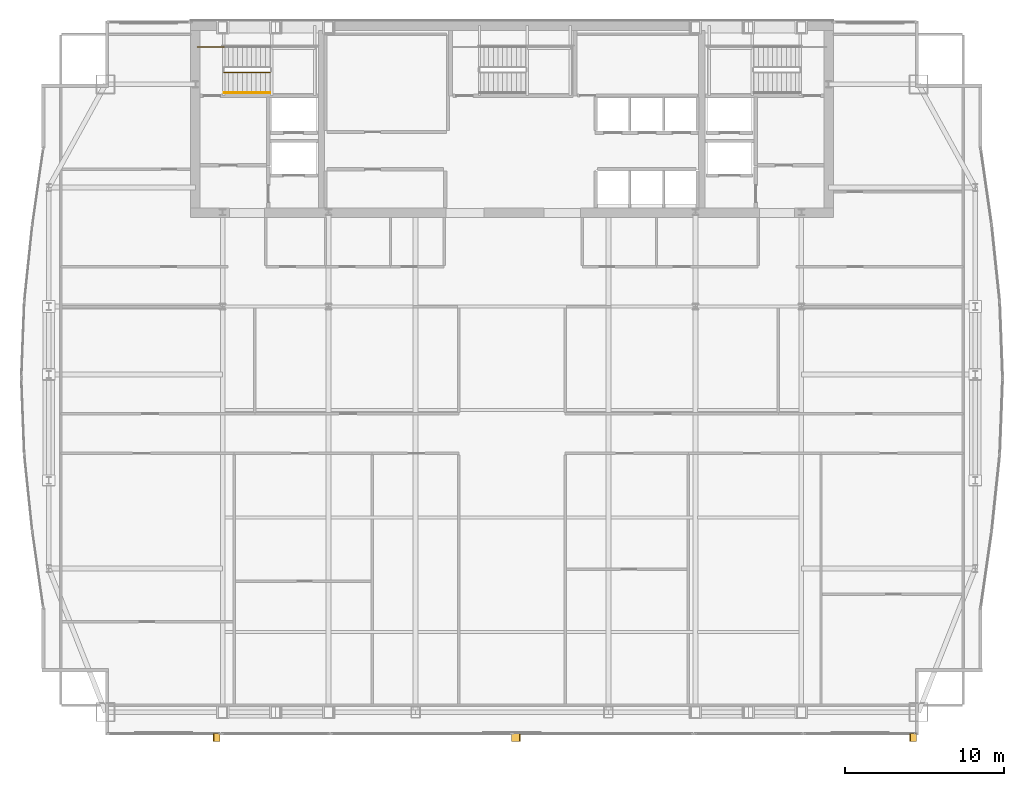
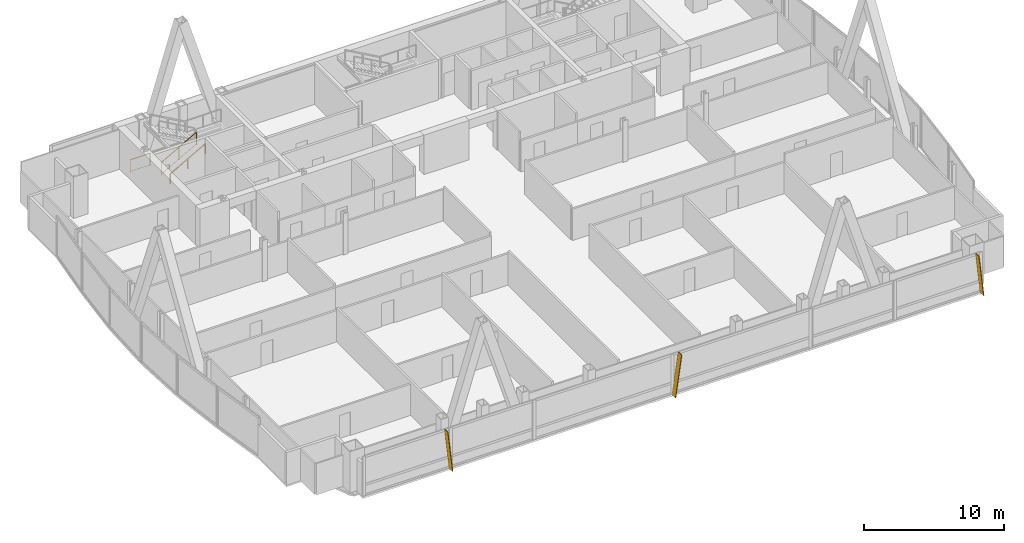
# One storey, part 31 of 32: 3 railings, 3 shading devices.
"""IFC4 building model written with IfcOpenShell, lengths in metres."""

from ifc_helpers import new_model, si_unit, direction, frame, origin, origin_2d, place, context, subcontext, project, spatial, polyline, rectangle, outline, extrude, material, layer, layer_set, type_object, element, save


model = new_model("IFC4")

# Units and contexts
model_context = context("Model", 3, precision=1e-05, world=origin(), true_north=direction((0.0, 1.0)))
body_context = subcontext(model_context, "Body", "Model", "MODEL_VIEW")
ifc_project = project(units=[si_unit("LENGTHUNIT", "METRE"), si_unit("AREAUNIT", "SQUARE_METRE"), si_unit("VOLUMEUNIT", "CUBIC_METRE"), si_unit("PLANEANGLEUNIT", "RADIAN"), si_unit("MASSUNIT", "GRAM", prefix="KILO")], contexts=[model_context])

# Site, building, storey
site_placement = place(None, origin())
site = spatial("IfcSite", under=ifc_project, at=site_placement, CompositionType="ELEMENT")
building_placement = place(site_placement, origin())
building = spatial("IfcBuilding", under=site, at=building_placement, Name="Khoronbel Lancet Exchange", CompositionType="ELEMENT")
storey_placement = place(building_placement, frame((0.0, 0.0, 199.39990234375)))
storey = spatial("IfcBuildingStorey", under=building, at=storey_placement, Name="L50", CompositionType="ELEMENT", Elevation=199.39990234375)

# Railings
ifc_material_1 = material(Name="Painted Steel Balustrade", Category="steel")
railing_type_1 = type_object("IfcRailingType", Name="RL-STG110", PredefinedType="GUARDRAIL", material=ifc_material_1)
railing_1_placement = place(storey_placement, frame((18.300048828125, 50.449951171875, 0.163818359375)))
element("IfcRailing", 1, at=railing_1_placement, inside=storey, type_object=railing_type_1, Name="L50 ST1 stair guard 1", PredefinedType="GUARDRAIL", context=body_context, shape_type="SweptSolid", body=[
    extrude(rectangle(XDim=0.048095703125, YDim=0.048095703125, at=origin_2d()), frame((0.0, 0.0, 1.09619140625), z_axis=(0.870928581787, 0.0, 0.491409610636), x_axis=(0.0, 1.0, 0.0)), (0.0, 0.0, 1.0), 3.32958984375),
    extrude(rectangle(XDim=0.02392578125, YDim=0.02392578125, at=origin_2d()), frame((0.0, 0.0, 0.080078125), z_axis=(0.870928581787, 0.0, 0.491409610636), x_axis=(0.0, 1.0, 0.0)), (0.0, 0.0, 1.0), 3.32958984375),
    extrude(rectangle(XDim=0.0419921875, YDim=0.0419921875, at=origin_2d()), origin(), (0.0, 0.0, 1.0), 1.072021484375),
    extrude(rectangle(XDim=0.0419921875, YDim=0.0419921875, at=origin_2d()), frame((1.449951171875, 0.0, 0.818115234375)), (0.0, 0.0, 1.0), 1.072021484375),
    extrude(rectangle(XDim=0.0419921875, YDim=0.0419921875, at=origin_2d()), frame((2.89990234375, 0.0, 1.63623046875)), (0.0, 0.0, 1.0), 1.072021484375),
])
railing_2_placement = place(storey_placement, frame((16.64990234375, 52.050048828125, 0.0)))
element("IfcRailing", 2, at=railing_2_placement, inside=storey, type_object=railing_type_1, Name="L50 ST1 stair guard 6", PredefinedType="GUARDRAIL", context=body_context, shape_type="SweptSolid", body=[
    extrude(rectangle(XDim=0.048095703125, YDim=0.048095703125, at=origin_2d()), frame((0.0, 0.0, 1.09619140625), z_axis=(1.0, 0.0, 0.0), x_axis=(0.0, 1.0, 0.0)), (0.0, 0.0, 1.0), 1.650146484375),
    extrude(rectangle(XDim=0.02392578125, YDim=0.02392578125, at=origin_2d()), frame((0.0, 0.0, 0.080078125), z_axis=(1.0, 0.0, 0.0), x_axis=(0.0, 1.0, 0.0)), (0.0, 0.0, 1.0), 1.650146484375),
    extrude(rectangle(XDim=0.0419921875, YDim=0.0419921875, at=origin_2d()), origin(), (0.0, 0.0, 1.0), 1.072021484375),
    extrude(rectangle(XDim=0.0419921875, YDim=0.0419921875, at=origin_2d()), frame((1.650146484375, 0.0, 0.0)), (0.0, 0.0, 1.0), 1.072021484375),
])
ifc_material_2 = material(Name="Brushed Stainless Steel 316", Category="steel")
railing_type_2 = type_object("IfcRailingType", Name="RL-STH92", PredefinedType="HANDRAIL", material=ifc_material_2)
railing_3_placement = place(storey_placement, frame((18.300048828125, 49.169921875, 0.163818359375)))
element("IfcRailing", 3, at=railing_3_placement, inside=storey, type_object=railing_type_2, Name="L50 ST1 stair handrail 1", PredefinedType="HANDRAIL", context=body_context, shape_type="SweptSolid", body=[
    extrude(rectangle(XDim=0.048095703125, YDim=0.048095703125, at=origin_2d()), frame((0.0, 0.0, 0.8759765625), z_axis=(0.870928581787, 0.0, 0.491409610636), x_axis=(0.0, 1.0, 0.0)), (0.0, 0.0, 1.0), 3.32958984375),
    extrude(rectangle(XDim=0.0419921875, YDim=0.0419921875, at=origin_2d()), origin(), (0.0, 0.0, 1.0), 0.851806640625),
    extrude(rectangle(XDim=0.0419921875, YDim=0.0419921875, at=origin_2d()), frame((1.449951171875, 0.0, 0.818115234375)), (0.0, 0.0, 1.0), 0.851806640625),
    extrude(rectangle(XDim=0.0419921875, YDim=0.0419921875, at=origin_2d()), frame((2.89990234375, 0.0, 1.63623046875)), (0.0, 0.0, 1.0), 0.851806640625),
])

# Shading devices
ifc_material_3 = material(Name="Bronze-Anodised Aluminium 6063-T6", Category="aluminium")
ifc_layer = layer(ifc_material_3, 0.054931640625, Name="Bronze-Anodised Aluminium 6063-T6")
ifc_layer_set = layer_set([ifc_layer], Name="Bronze-Anodised Aluminium 6063-T6")
shading_device_type = type_object("IfcShadingDeviceType", Name="SHD-FIN1", PredefinedType="USERDEFINED", material=ifc_layer_set)
shading_device_1_placement = place(storey_placement, frame((18.072509765625, 8.81005859375, -0.079833984375), z_axis=(0.99389951861, 0.0, 0.110289378034), x_axis=(0.0, -1.0, 0.0)))
element("IfcShadingDevice", 4, at=shading_device_1_placement, inside=storey, type_object=shading_device_type, Name="Slanted bronze solar fin CW-L50-SWV-1", ObjectType="FIN", PredefinedType="USERDEFINED", context=body_context, shape_type="SweptSolid", body=[
    extrude(outline(polyline([(0.0, 0.0), (0.52001953125, 0.0), (0.52001953125, -3.58154296875), (0.0, -3.58154296875), (0.0, 0.0)])), origin(), (0.0, 0.0, -1.0), 0.054931640625),
])
shading_device_2_placement = place(storey_placement, frame((36.422607421875, 8.81005859375, -0.079833984375), z_axis=(-0.990091586433, 0.0, 0.14042311232), x_axis=(0.0, -1.0, 0.0)))
element("IfcShadingDevice", 5, at=shading_device_2_placement, inside=storey, type_object=shading_device_type, Name="Slanted bronze solar fin CW-L50-SCV-1", ObjectType="FIN", PredefinedType="USERDEFINED", context=body_context, shape_type="SweptSolid", body=[
    extrude(outline(polyline([(0.0, 0.0), (0.52001953125, 0.0), (0.52001953125, 3.595458984375), (0.0, 3.595458984375), (0.0, 0.0)])), origin(), (0.0, 0.0, -1.0), 0.054931640625),
])
shading_device_3_placement = place(storey_placement, frame((61.9326171875, 8.81005859375, -0.079833984375), z_axis=(0.99389951861, 0.0, 0.110289378034), x_axis=(0.0, -1.0, 0.0)))
element("IfcShadingDevice", 6, at=shading_device_3_placement, inside=storey, type_object=shading_device_type, Name="Slanted bronze solar fin CW-L50-SEV-1", ObjectType="FIN", PredefinedType="USERDEFINED", context=body_context, shape_type="SweptSolid", body=[
    extrude(outline(polyline([(0.0, 0.0), (0.52001953125, 0.0), (0.52001953125, -3.58154296875), (0.0, -3.58154296875), (0.0, 0.0)])), origin(), (0.0, 0.0, -1.0), 0.054931640625),
])

save(model, "model.ifc")
